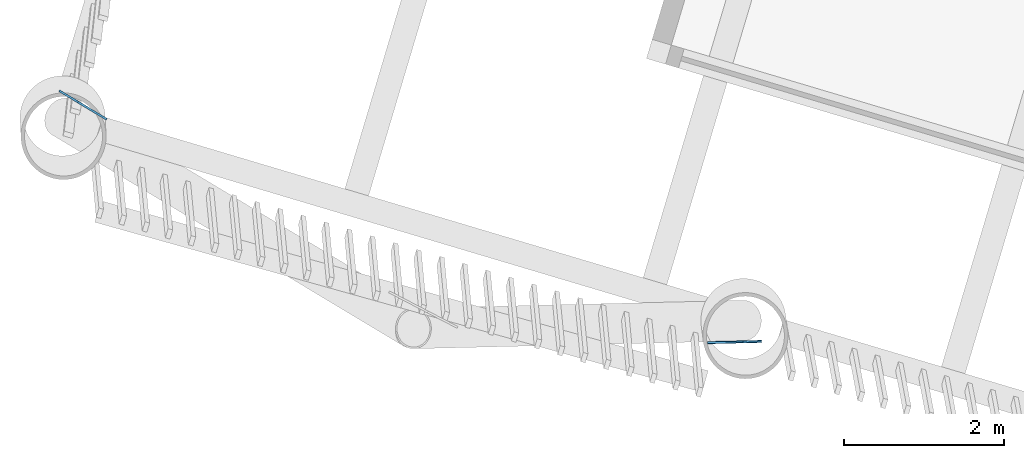
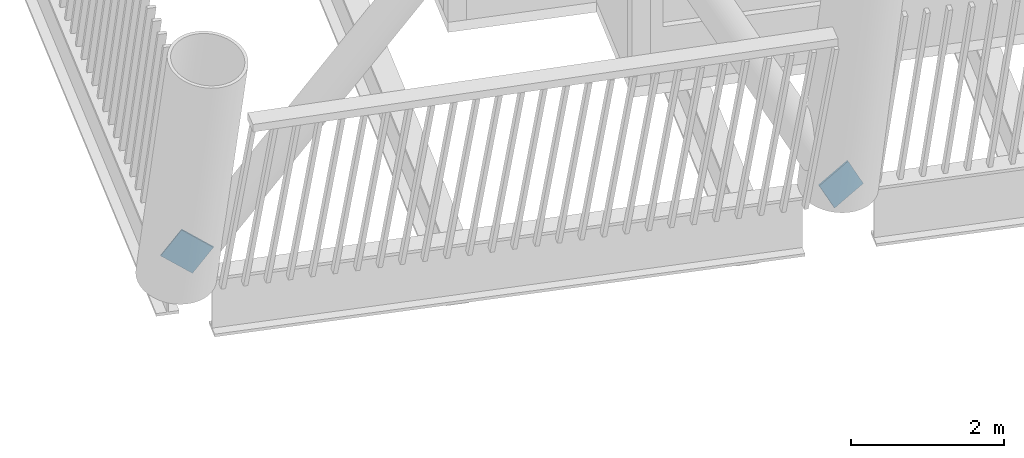
# One storey, part 13 of 24: 2 discrete accessories.
"""IFC4 building model written with IfcOpenShell, lengths in metres."""

from ifc_helpers import new_model, si_unit, direction, frame, origin, origin_2d, place, context, subcontext, project, spatial, rectangle, extrude, material, material_profile, profile_set, type_object, element, save


model = new_model("IFC4")

# Units and contexts
model_context = context("Model", 3, precision=1e-05, world=origin(), true_north=direction((0.0, 1.0)))
body_context = subcontext(model_context, "Body", "Model", "MODEL_VIEW")
ifc_project = project(units=[si_unit("LENGTHUNIT", "METRE"), si_unit("AREAUNIT", "SQUARE_METRE"), si_unit("VOLUMEUNIT", "CUBIC_METRE"), si_unit("PLANEANGLEUNIT", "RADIAN"), si_unit("MASSUNIT", "GRAM", prefix="KILO")], contexts=[model_context])

# Site, building, storey
site_placement = place(None, origin())
site = spatial("IfcSite", under=ifc_project, at=site_placement, CompositionType="ELEMENT")
building_placement = place(site_placement, origin())
building = spatial("IfcBuilding", under=site, at=building_placement, Name="Tarsis Ring Headquarters", CompositionType="ELEMENT")
storey_placement = place(building_placement, frame((0.0, 0.0, 216.0)))
storey = spatial("IfcBuildingStorey", under=building, at=storey_placement, Name="L50", CompositionType="ELEMENT", Elevation=216.0)

# Discrete accessories
ifc_material = material(Name="Structural steel S355", Category="steel")
ifc_material_profile = material_profile(ifc_material, rectangle(XDim=0.02490234375, YDim=0.5, at=origin_2d()), Name="PL 25x500")
ifc_profile_set = profile_set([ifc_material_profile], Name="Structural steel S355")
discrete_accessory_type = type_object("IfcDiscreteAccessoryType", Name="Gusset plate Exo brace 25", PredefinedType="BRACKET", material=ifc_profile_set)
for number, where, z_axis, x_axis, name in (
    (1, (-45.107177734375, -1.727294921875, 0.0), (0.471144117899, -0.283174702986, 0.835365373808), (0.515148685171, 0.857100829638, 0.0), "Gusset plate GP5"),
    (2, (-36.706787109375, -4.765380859375, 0.0), (-0.468351784238, -0.011232628819, 0.883470675377), (0.023976421333, -0.999712524289, 0.0), "Gusset plate GP5"),
):
    element("IfcDiscreteAccessory", number, at=place(storey_placement, frame(where, z_axis=z_axis, x_axis=x_axis)), inside=storey, type_object=discrete_accessory_type, Name=name, PredefinedType="BRACKET", context=body_context, shape_type="SweptSolid", body=[
        extrude(rectangle(XDim=0.02490234375, YDim=0.5, at=origin_2d()), origin(), (0.0, 0.0, 1.0), 0.5),
    ])

save(model, "model.ifc")
